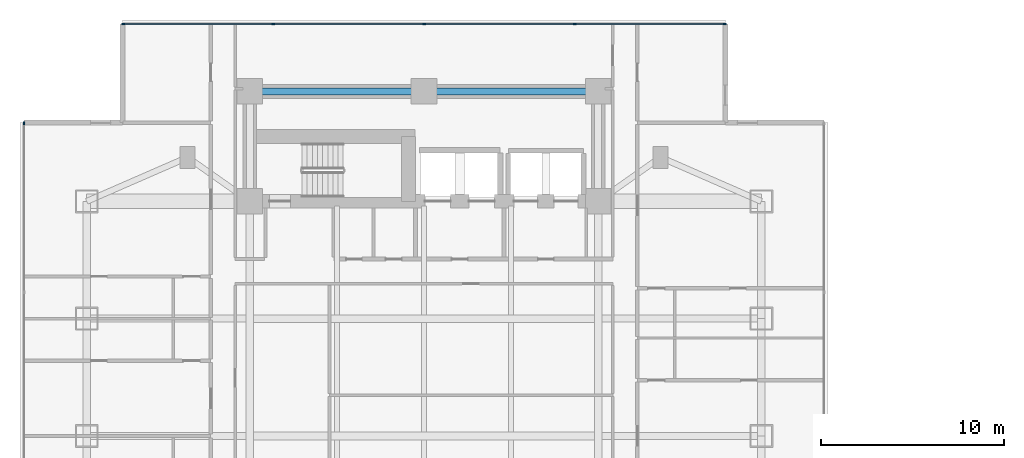
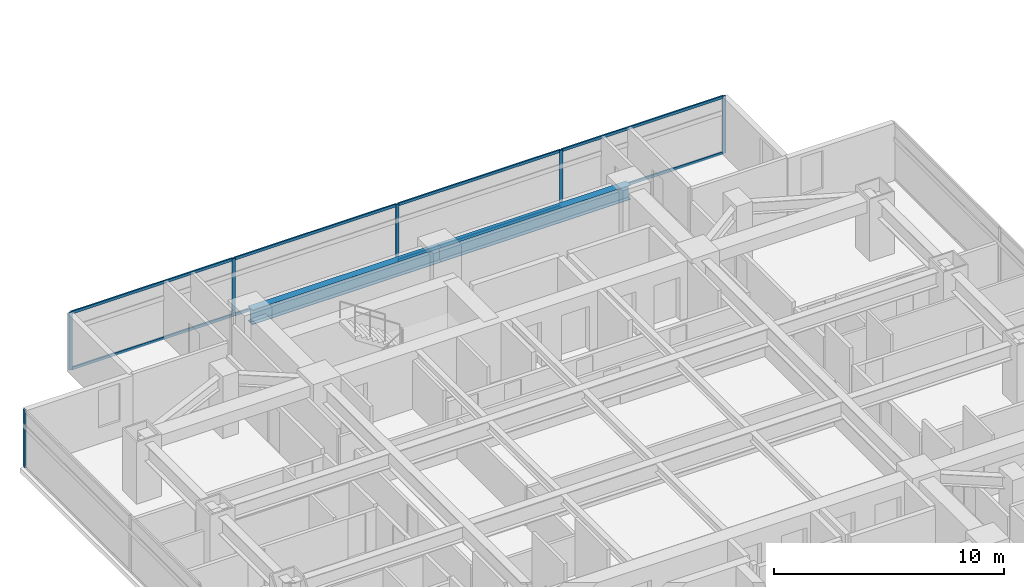
# One storey, part 7 of 25: 14 members, 2 beams, 2 elements without a shape of their own.
"""IFC4 building model written with IfcOpenShell, lengths in metres."""

from ifc_helpers import new_model, si_unit, direction, frame, origin, origin_2d, place, context, subcontext, project, spatial, rectangle, i_section, extrude, material, material_profile, profile_set, type_object, element, aggregate, save


model = new_model("IFC4")

# Units and contexts
model_context = context("Model", 3, precision=1e-05, world=origin(), true_north=direction((0.0, 1.0)))
body_context = subcontext(model_context, "Body", "Model", "MODEL_VIEW")
ifc_project = project(units=[si_unit("LENGTHUNIT", "METRE"), si_unit("AREAUNIT", "SQUARE_METRE"), si_unit("VOLUMEUNIT", "CUBIC_METRE"), si_unit("PLANEANGLEUNIT", "RADIAN"), si_unit("MASSUNIT", "GRAM", prefix="KILO")], contexts=[model_context])

# Site, building, storey
site_placement = place(None, origin())
site = spatial("IfcSite", under=ifc_project, at=site_placement, CompositionType="ELEMENT")
building_placement = place(site_placement, origin())
building = spatial("IfcBuilding", under=site, at=building_placement, Name="Mirazonda Arch Towers", CompositionType="ELEMENT")
storey_placement = place(building_placement, frame((0.0, 0.0, 32.300048828125)))
storey = spatial("IfcBuildingStorey", under=building, at=storey_placement, Name="L08", CompositionType="ELEMENT", Elevation=32.300048828125)

# Beams
ifc_material_1 = material(Name="Steel ASTM A992 Grade 50", Category="steel")
ifc_material_profile_1 = material_profile(ifc_material_1, i_section(OverallWidth=0.381103515625, OverallDepth=0.77294921875, WebThickness=0.0166015625, FlangeThickness=0.027099609375, at=origin_2d()), Name="W30X173")
ifc_profile_set_1 = profile_set([ifc_material_profile_1], Name="Steel ASTM A992 Grade 50")
beam_type = type_object("IfcBeamType", Name="BM-INT-W30X173", PredefinedType="USERDEFINED", material=ifc_profile_set_1)
for number, where, z_axis, x_axis, name in (
    (1, (11.0, 43.60009765625, 2.67333984375), (1.0, 0.0, 0.0), (0.0, 1.0, 0.0), "L08 Floor Beam BM-T1-L08-CN1"),
    (2, (20.5, 43.60009765625, 2.67333984375), (1.0, 0.0, 0.0), (0.0, 1.0, 0.0), "L08 Floor Beam BM-T1-L08-CN2"),
):
    element("IfcBeam", number, at=place(storey_placement, frame(where, z_axis=z_axis, x_axis=x_axis)), inside=storey, type_object=beam_type, Name=name, ObjectType="GIRDER", PredefinedType="USERDEFINED", context=body_context, shape_type="SweptSolid", body=[
        extrude(i_section(OverallWidth=0.381103515625, OverallDepth=0.77294921875, WebThickness=0.0166015625, FlangeThickness=0.027099609375, at=origin_2d()), origin(), (0.0, 0.0, 1.0), 9.5),
    ])

# Curtain wall, members
ifc_material_2 = material(Name="Anodised Aluminium and Low-E Glass", Category="aluminium")
curtain_wall_type = type_object("IfcCurtainWallType", Name="CW-HTL-UNIT", PredefinedType="NOTDEFINED", material=ifc_material_2)
curtain_wall_1_placement = place(storey_placement, origin())
curtain_wall_1 = element("IfcCurtainWall", 3, at=curtain_wall_1_placement, inside=storey, type_object=curtain_wall_type, Name="L08 T1 N Facade CW-L08-T1-N", PredefinedType="NOTDEFINED")
ifc_material_3 = material(Name="Anodised Aluminium Alloy", Category="aluminium")
ifc_material_profile_2 = material_profile(ifc_material_3, rectangle(XDim=0.074951171875, YDim=0.1650390625, at=origin_2d()), Name="ALU-MULL-75x165")
ifc_profile_set_2 = profile_set([ifc_material_profile_2], Name="Anodised Aluminium Alloy")
member_type_1 = type_object("IfcMemberType", Name="MULL-CW-HTL-UNIT", PredefinedType="MULLION", material=ifc_profile_set_2)
member_1_placement = place(storey_placement, frame((4.097412109375, 47.27392578125, 0.0), z_axis=(0.0, 0.0, 1.0), x_axis=(0.0, 1.0, 0.0)))
member_1 = element("IfcMember", 4, at=member_1_placement, type_object=member_type_1, Name="CW-112 mullion 1", PredefinedType="MULLION", context=body_context, shape_type="SweptSolid", body=[
    extrude(rectangle(XDim=0.074951171875, YDim=0.1650390625, at=origin_2d()), origin(), (0.0, 0.0, 1.0), 3.0400390625),
])
member_2_placement = place(storey_placement, frame((12.280029296875, 47.27392578125, 0.0), z_axis=(0.0, 0.0, 1.0), x_axis=(0.0, 1.0, 0.0)))
member_2 = element("IfcMember", 5, at=member_2_placement, type_object=member_type_1, Name="CW-112 mullion 2", PredefinedType="MULLION", context=body_context, shape_type="SweptSolid", body=[
    extrude(rectangle(XDim=0.074951171875, YDim=0.1650390625, at=origin_2d()), origin(), (0.0, 0.0, 1.0), 3.0400390625),
])
member_3_placement = place(storey_placement, frame((20.5, 47.27392578125, 0.0), z_axis=(0.0, 0.0, 1.0), x_axis=(0.0, 1.0, 0.0)))
member_3 = element("IfcMember", 6, at=member_3_placement, type_object=member_type_1, Name="CW-112 mullion 3", PredefinedType="MULLION", context=body_context, shape_type="SweptSolid", body=[
    extrude(rectangle(XDim=0.074951171875, YDim=0.1650390625, at=origin_2d()), origin(), (0.0, 0.0, 1.0), 3.0400390625),
])
member_4_placement = place(storey_placement, frame((28.719970703125, 47.27392578125, 0.0), z_axis=(0.0, 0.0, 1.0), x_axis=(0.0, 1.0, 0.0)))
member_4 = element("IfcMember", 7, at=member_4_placement, type_object=member_type_1, Name="CW-112 mullion 4", PredefinedType="MULLION", context=body_context, shape_type="SweptSolid", body=[
    extrude(rectangle(XDim=0.074951171875, YDim=0.1650390625, at=origin_2d()), origin(), (0.0, 0.0, 1.0), 3.0400390625),
])
member_5_placement = place(storey_placement, frame((36.902587890625, 47.27392578125, 0.0), z_axis=(0.0, 0.0, 1.0), x_axis=(0.0, 1.0, 0.0)))
member_5 = element("IfcMember", 8, at=member_5_placement, type_object=member_type_1, Name="CW-112 mullion 5", PredefinedType="MULLION", context=body_context, shape_type="SweptSolid", body=[
    extrude(rectangle(XDim=0.074951171875, YDim=0.1650390625, at=origin_2d()), origin(), (0.0, 0.0, 1.0), 3.0400390625),
])

# Curtain wall, member
curtain_wall_2_placement = place(storey_placement, origin())
curtain_wall_2 = element("IfcCurtainWall", 9, at=curtain_wall_2_placement, inside=storey, type_object=curtain_wall_type, Name="L08 T1 W Facade CW-L08-T1-W", PredefinedType="NOTDEFINED")
member_6_placement = place(storey_placement, frame((-1.320068359375, 41.8564453125, 0.0), z_axis=(0.0, 0.0, 1.0), x_axis=(1.0, 0.0, 0.0)))
member_6 = element("IfcMember", 10, at=member_6_placement, type_object=member_type_1, Name="CW-112 mullion 1", PredefinedType="MULLION", context=body_context, shape_type="SweptSolid", body=[
    extrude(rectangle(XDim=0.074951171875, YDim=0.1650390625, at=origin_2d()), origin(), (0.0, 0.0, 1.0), 3.0400390625),
])
aggregate(curtain_wall_2, [member_6])

# Member
ifc_material_profile_3 = material_profile(ifc_material_3, rectangle(XDim=0.074951171875, YDim=0.14501953125, at=origin_2d()), Name="ALU-TRAN-75x145")
ifc_profile_set_3 = profile_set([ifc_material_profile_3], Name="Anodised Aluminium Alloy")
member_type_2 = type_object("IfcMemberType", Name="TRAN-CW-HTL-UNIT", PredefinedType="USERDEFINED", material=ifc_profile_set_3)
member_7_placement = place(storey_placement, frame((4.135009765625, 47.27392578125, 0.037353515625), z_axis=(1.0, 0.0, 0.0), x_axis=(0.0, 1.0, 0.0)))
member_7 = element("IfcMember", 11, at=member_7_placement, type_object=member_type_2, Name="CW-112 transom 1.1", ObjectType="TRANSOM", PredefinedType="USERDEFINED", context=body_context, shape_type="SweptSolid", body=[
    extrude(rectangle(XDim=0.074951171875, YDim=0.14501953125, at=origin_2d()), origin(), (0.0, 0.0, 1.0), 8.107421875),
])

member_8_placement = place(storey_placement, frame((4.135009765625, 47.27392578125, 3.00244140625), z_axis=(1.0, 0.0, 0.0), x_axis=(0.0, 1.0, 0.0)))
member_8 = element("IfcMember", 12, at=member_8_placement, type_object=member_type_2, Name="CW-112 transom 1.2", ObjectType="TRANSOM", PredefinedType="USERDEFINED", context=body_context, shape_type="SweptSolid", body=[
    extrude(rectangle(XDim=0.074951171875, YDim=0.14501953125, at=origin_2d()), origin(), (0.0, 0.0, 1.0), 8.107421875),
])

member_9_placement = place(storey_placement, frame((12.3173828125, 47.27392578125, 0.037353515625), z_axis=(1.0, 0.0, 0.0), x_axis=(0.0, 1.0, 0.0)))
member_9 = element("IfcMember", 13, at=member_9_placement, type_object=member_type_2, Name="CW-112 transom 2.1", ObjectType="TRANSOM", PredefinedType="USERDEFINED", context=body_context, shape_type="SweptSolid", body=[
    extrude(rectangle(XDim=0.074951171875, YDim=0.14501953125, at=origin_2d()), origin(), (0.0, 0.0, 1.0), 8.14501953125),
])

member_10_placement = place(storey_placement, frame((12.3173828125, 47.27392578125, 3.00244140625), z_axis=(1.0, 0.0, 0.0), x_axis=(0.0, 1.0, 0.0)))
member_10 = element("IfcMember", 14, at=member_10_placement, type_object=member_type_2, Name="CW-112 transom 2.2", ObjectType="TRANSOM", PredefinedType="USERDEFINED", context=body_context, shape_type="SweptSolid", body=[
    extrude(rectangle(XDim=0.074951171875, YDim=0.14501953125, at=origin_2d()), origin(), (0.0, 0.0, 1.0), 8.14501953125),
])

member_11_placement = place(storey_placement, frame((20.53759765625, 47.27392578125, 0.037353515625), z_axis=(1.0, 0.0, 0.0), x_axis=(0.0, 1.0, 0.0)))
member_11 = element("IfcMember", 15, at=member_11_placement, type_object=member_type_2, Name="CW-112 transom 3.1", ObjectType="TRANSOM", PredefinedType="USERDEFINED", context=body_context, shape_type="SweptSolid", body=[
    extrude(rectangle(XDim=0.074951171875, YDim=0.14501953125, at=origin_2d()), origin(), (0.0, 0.0, 1.0), 8.14501953125),
])

member_12_placement = place(storey_placement, frame((20.53759765625, 47.27392578125, 3.00244140625), z_axis=(1.0, 0.0, 0.0), x_axis=(0.0, 1.0, 0.0)))
member_12 = element("IfcMember", 16, at=member_12_placement, type_object=member_type_2, Name="CW-112 transom 3.2", ObjectType="TRANSOM", PredefinedType="USERDEFINED", context=body_context, shape_type="SweptSolid", body=[
    extrude(rectangle(XDim=0.074951171875, YDim=0.14501953125, at=origin_2d()), origin(), (0.0, 0.0, 1.0), 8.14501953125),
])

member_13_placement = place(storey_placement, frame((28.757568359375, 47.27392578125, 0.037353515625), z_axis=(1.0, 0.0, 0.0), x_axis=(0.0, 1.0, 0.0)))
member_13 = element("IfcMember", 17, at=member_13_placement, type_object=member_type_2, Name="CW-112 transom 4.1", ObjectType="TRANSOM", PredefinedType="USERDEFINED", context=body_context, shape_type="SweptSolid", body=[
    extrude(rectangle(XDim=0.074951171875, YDim=0.14501953125, at=origin_2d()), origin(), (0.0, 0.0, 1.0), 8.107421875),
])

member_14_placement = place(storey_placement, frame((28.757568359375, 47.27392578125, 3.00244140625), z_axis=(1.0, 0.0, 0.0), x_axis=(0.0, 1.0, 0.0)))
member_14 = element("IfcMember", 18, at=member_14_placement, type_object=member_type_2, Name="CW-112 transom 4.2", ObjectType="TRANSOM", PredefinedType="USERDEFINED", context=body_context, shape_type="SweptSolid", body=[
    extrude(rectangle(XDim=0.074951171875, YDim=0.14501953125, at=origin_2d()), origin(), (0.0, 0.0, 1.0), 8.107421875),
])

aggregate(curtain_wall_1, [member_1, member_2, member_3, member_4, member_5, member_7, member_8, member_9, member_10, member_11, member_12, member_13, member_14])

save(model, "model.ifc")
